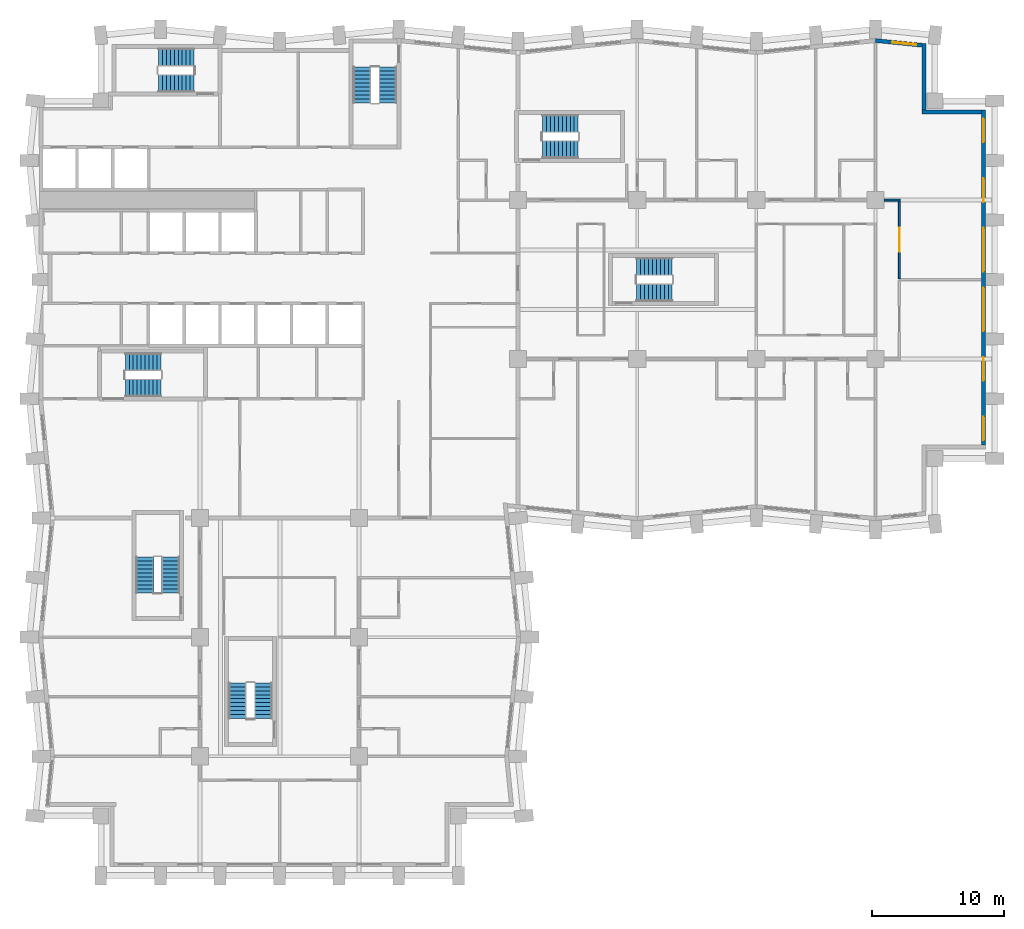
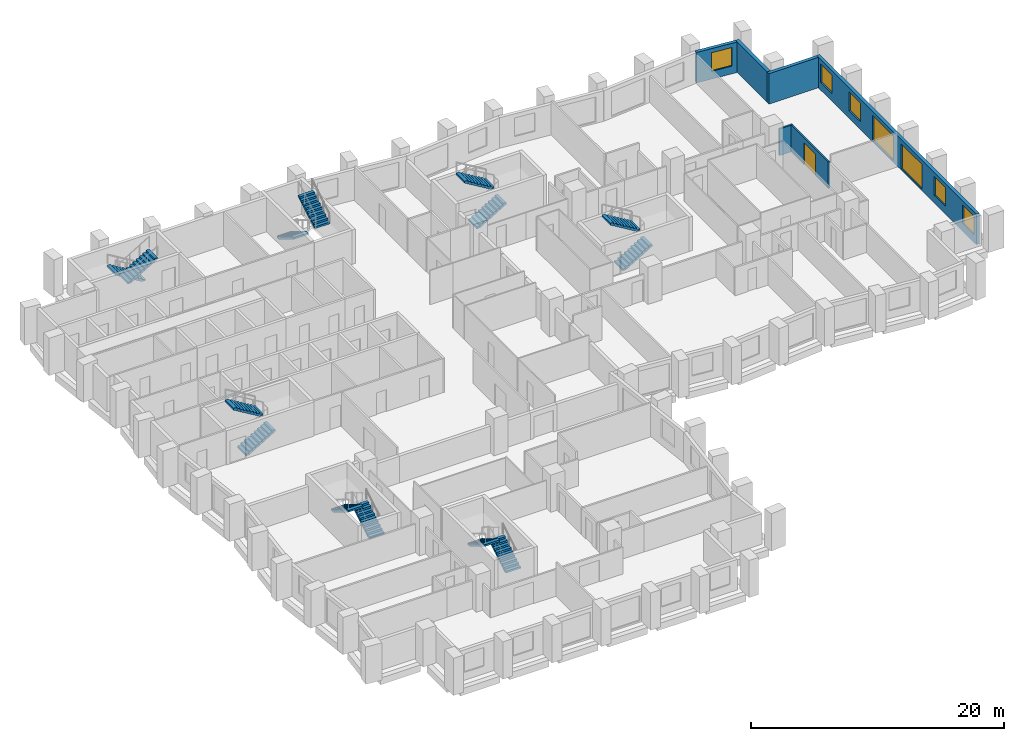
# One storey, part 10 of 12: 14 stair flights, 7 windows, 6 walls, 1 door, 8 openings, 7 elements without a shape of their own.
"""IFC4 building model written with IfcOpenShell, lengths in metres."""

from ifc_helpers import new_model, si_unit, direction, frame, frame_2d, origin, place, context, subcontext, project, spatial, polyline, rectangle, outline, extrude, material, layer, layer_set, type_object, element, fill, aggregate, save


model = new_model("IFC4")

# Units and contexts
model_context = context("Model", 3, precision=1e-05, world=origin(), true_north=direction((0.0, 1.0)))
body_context = subcontext(model_context, "Body", "Model", "MODEL_VIEW")
ifc_project = project(units=[si_unit("LENGTHUNIT", "METRE"), si_unit("AREAUNIT", "SQUARE_METRE"), si_unit("VOLUMEUNIT", "CUBIC_METRE"), si_unit("PLANEANGLEUNIT", "RADIAN"), si_unit("MASSUNIT", "GRAM", prefix="KILO")], contexts=[model_context])

# Site, building, storey
site_placement = place(None, origin())
site = spatial("IfcSite", under=ifc_project, at=site_placement, CompositionType="ELEMENT")
building_placement = place(site_placement, origin())
building = spatial("IfcBuilding", under=site, at=building_placement, Name="Brondeck Convention Tower", CompositionType="ELEMENT")
storey_placement = place(building_placement, frame((0.0, 0.0, 66.300048828125)))
storey = spatial("IfcBuildingStorey", under=building, at=storey_placement, Name="L14", CompositionType="ELEMENT", Elevation=66.300048828125)

# Wall, openings, windows
ifc_material_1 = material(Name="Precast concrete C50/60 bronze finish", Category="concrete")
ifc_layer_1 = layer(ifc_material_1, 0.070068359375, Name="Bronze precast facing")
ifc_material_2 = material(Name="Mineral wool")
ifc_layer_2 = layer(ifc_material_2, 0.159912109375, Name="Insulation")
ifc_material_3 = material(Name="Concrete C35/45", Category="concrete")
ifc_layer_3 = layer(ifc_material_3, 0.070068359375, Name="Backing")
ifc_layer_set_1 = layer_set([ifc_layer_1, ifc_layer_2, ifc_layer_3], Name="External infill wall, precast concrete C50/60 bronze facing")
wall_type_1 = type_object("IfcWallType", Name="External infill wall, precast concrete C50/60 bronze facing", PredefinedType="SOLIDWALL", material=ifc_layer_set_1)
wall_1_placement = place(storey_placement, frame((71.14990234375, 57.800048828125, 0.0), z_axis=(0.0, 0.0, 1.0), x_axis=(0.0, -1.0, 0.0)))
wall_1 = element("IfcWall", 1, at=wall_1_placement, inside=storey, type_object=wall_type_1, Name="ENV-EW-L14-P0-A-E72-01", PredefinedType="SOLIDWALL", context=body_context, shape_type="SweptSolid", body=[
    extrude(rectangle(XDim=25.302001953125, YDim=0.300048828125, at=frame_2d((12.65087890625, 0.0))), origin(), (0.0, 0.0, 1.0), 2.949951171875),
])
opening_1_placement = place(wall_1_placement, frame((0.64990234375, 0.0, 0.75)))
opening_1 = element("IfcOpeningElement", 2, at=opening_1_placement, cuts=wall_1, Name="Opening W10", PredefinedType="OPENING", context=body_context, shape_type="SweptSolid", body=[
    extrude(rectangle(XDim=1.800048828125, YDim=1.800048828125, at=frame_2d((0.89990234375, 0.89990234375))), frame((0.0, 0.159912109375, 0.0), z_axis=(0.0, -1.0, 0.0), x_axis=(1.0, 0.0, 0.0)), (0.0, 0.0, 1.0), 0.320068359375),
])
opening_2_placement = place(wall_1_placement, frame((5.14990234375, 0.0, 0.75)))
opening_2 = element("IfcOpeningElement", 3, at=opening_2_placement, cuts=wall_1, Name="Opening W10", PredefinedType="OPENING", context=body_context, shape_type="SweptSolid", body=[
    extrude(rectangle(XDim=1.800048828125, YDim=1.800048828125, at=frame_2d((0.89990234375, 0.89990234375))), frame((0.0, 0.159912109375, 0.0), z_axis=(0.0, -1.0, 0.0), x_axis=(1.0, 0.0, 0.0)), (0.0, 0.0, 1.0), 0.320068359375),
])
opening_3_placement = place(wall_1_placement, frame((8.89990234375, 0.0, 0.14990234375)))
opening_3 = element("IfcOpeningElement", 4, at=opening_3_placement, cuts=wall_1, Name="Opening W9", PredefinedType="OPENING", context=body_context, shape_type="SweptSolid", body=[
    extrude(rectangle(XDim=3.300048828125, YDim=2.39990234375, at=frame_2d((1.64990234375, 1.199951171875))), frame((0.0, 0.159912109375, 0.0), z_axis=(0.0, -1.0, 0.0), x_axis=(1.0, 0.0, 0.0)), (0.0, 0.0, 1.0), 0.320068359375),
])
opening_4_placement = place(wall_1_placement, frame((13.39990234375, 0.0, 0.14990234375)))
opening_4 = element("IfcOpeningElement", 5, at=opening_4_placement, cuts=wall_1, Name="Opening W9", PredefinedType="OPENING", context=body_context, shape_type="SweptSolid", body=[
    extrude(rectangle(XDim=3.300048828125, YDim=2.39990234375, at=frame_2d((1.64990234375, 1.199951171875))), frame((0.0, 0.159912109375, 0.0), z_axis=(0.0, -1.0, 0.0), x_axis=(1.0, 0.0, 0.0)), (0.0, 0.0, 1.0), 0.320068359375),
])
opening_5_placement = place(wall_1_placement, frame((18.64990234375, 0.0, 0.75)))
opening_5 = element("IfcOpeningElement", 6, at=opening_5_placement, cuts=wall_1, Name="Opening W10", PredefinedType="OPENING", context=body_context, shape_type="SweptSolid", body=[
    extrude(rectangle(XDim=1.800048828125, YDim=1.800048828125, at=frame_2d((0.89990234375, 0.89990234375))), frame((0.0, 0.159912109375, 0.0), z_axis=(0.0, -1.0, 0.0), x_axis=(1.0, 0.0, 0.0)), (0.0, 0.0, 1.0), 0.320068359375),
])
opening_6_placement = place(wall_1_placement, frame((23.14990234375, 0.0, 0.75)))
opening_6 = element("IfcOpeningElement", 7, at=opening_6_placement, cuts=wall_1, Name="Opening W10", PredefinedType="OPENING", context=body_context, shape_type="SweptSolid", body=[
    extrude(rectangle(XDim=1.800048828125, YDim=1.800048828125, at=frame_2d((0.89990234375, 0.89990234375))), frame((0.0, 0.159912109375, 0.0), z_axis=(0.0, -1.0, 0.0), x_axis=(1.0, 0.0, 0.0)), (0.0, 0.0, 1.0), 0.320068359375),
])
ifc_material_4 = material(Name="Bronze tinted double glazing", Category="glass")
window_type_1 = type_object("IfcWindowType", Name="Glazed flute window, bronze tinted", PartitioningType="SINGLE_PANEL", PredefinedType="WINDOW", material=ifc_material_4)
window_1_placement = place(opening_3_placement, origin())
window_1 = element("IfcWindow", 8, at=window_1_placement, inside=storey, type_object=window_type_1, Name="ENV-WN-L14-P0-A-E72-04", OverallHeight=2.39990234375, OverallWidth=3.300048828125, PartitioningType="SINGLE_PANEL", PredefinedType="WINDOW", context=body_context, shape_type="SweptSolid", body=[
    extrude(rectangle(XDim=3.300048828125, YDim=2.39990234375, at=frame_2d((1.64990234375, 1.199951171875))), frame((0.0, 0.030029296875, 0.0), z_axis=(0.0, -1.0, 0.0), x_axis=(1.0, 0.0, 0.0)), (0.0, 0.0, 1.0), 0.06005859375),
])
fill(opening_3, window_1)
window_2_placement = place(opening_4_placement, origin())
window_2 = element("IfcWindow", 9, at=window_2_placement, inside=storey, type_object=window_type_1, Name="ENV-WN-L14-P0-A-E72-03", OverallHeight=2.39990234375, OverallWidth=3.300048828125, PartitioningType="SINGLE_PANEL", PredefinedType="WINDOW", context=body_context, shape_type="SweptSolid", body=[
    extrude(rectangle(XDim=3.300048828125, YDim=2.39990234375, at=frame_2d((1.64990234375, 1.199951171875))), frame((0.0, 0.030029296875, 0.0), z_axis=(0.0, -1.0, 0.0), x_axis=(1.0, 0.0, 0.0)), (0.0, 0.0, 1.0), 0.06005859375),
])
fill(opening_4, window_2)
window_type_2 = type_object("IfcWindowType", Name="Punched window, bronze tinted", PartitioningType="SINGLE_PANEL", PredefinedType="WINDOW", material=ifc_material_4)
window_3_placement = place(opening_1_placement, origin())
window_3 = element("IfcWindow", 10, at=window_3_placement, inside=storey, type_object=window_type_2, Name="ENV-WN-L14-P0-A-E72-06", OverallHeight=1.800048828125, OverallWidth=1.800048828125, PartitioningType="SINGLE_PANEL", PredefinedType="WINDOW", context=body_context, shape_type="SweptSolid", body=[
    extrude(rectangle(XDim=1.800048828125, YDim=1.800048828125, at=frame_2d((0.89990234375, 0.89990234375))), frame((0.0, 0.030029296875, 0.0), z_axis=(0.0, -1.0, 0.0), x_axis=(1.0, 0.0, 0.0)), (0.0, 0.0, 1.0), 0.06005859375),
])
fill(opening_1, window_3)
window_4_placement = place(opening_2_placement, origin())
window_4 = element("IfcWindow", 11, at=window_4_placement, inside=storey, type_object=window_type_2, Name="ENV-WN-L14-P0-A-E72-05", OverallHeight=1.800048828125, OverallWidth=1.800048828125, PartitioningType="SINGLE_PANEL", PredefinedType="WINDOW", context=body_context, shape_type="SweptSolid", body=[
    extrude(rectangle(XDim=1.800048828125, YDim=1.800048828125, at=frame_2d((0.89990234375, 0.89990234375))), frame((0.0, 0.030029296875, 0.0), z_axis=(0.0, -1.0, 0.0), x_axis=(1.0, 0.0, 0.0)), (0.0, 0.0, 1.0), 0.06005859375),
])
fill(opening_2, window_4)
window_5_placement = place(opening_5_placement, origin())
window_5 = element("IfcWindow", 12, at=window_5_placement, inside=storey, type_object=window_type_2, Name="ENV-WN-L14-P0-A-E72-02", OverallHeight=1.800048828125, OverallWidth=1.800048828125, PartitioningType="SINGLE_PANEL", PredefinedType="WINDOW", context=body_context, shape_type="SweptSolid", body=[
    extrude(rectangle(XDim=1.800048828125, YDim=1.800048828125, at=frame_2d((0.89990234375, 0.89990234375))), frame((0.0, 0.030029296875, 0.0), z_axis=(0.0, -1.0, 0.0), x_axis=(1.0, 0.0, 0.0)), (0.0, 0.0, 1.0), 0.06005859375),
])
fill(opening_5, window_5)
window_6_placement = place(opening_6_placement, origin())
window_6 = element("IfcWindow", 13, at=window_6_placement, inside=storey, type_object=window_type_2, Name="ENV-WN-L14-P0-A-E72-01", OverallHeight=1.800048828125, OverallWidth=1.800048828125, PartitioningType="SINGLE_PANEL", PredefinedType="WINDOW", context=body_context, shape_type="SweptSolid", body=[
    extrude(rectangle(XDim=1.800048828125, YDim=1.800048828125, at=frame_2d((0.89990234375, 0.89990234375))), frame((0.0, 0.030029296875, 0.0), z_axis=(0.0, -1.0, 0.0), x_axis=(1.0, 0.0, 0.0)), (0.0, 0.0, 1.0), 0.06005859375),
])
fill(opening_6, window_6)

# Walls
wall_2_placement = place(storey_placement, frame((66.5, 57.64990234375, 0.0), z_axis=(0.0, 0.0, 1.0), x_axis=(1.0, 0.0, 0.0)))
element("IfcWall", 14, at=wall_2_placement, inside=storey, type_object=wall_type_1, Name="ENV-EW-L14-P0-NC-NEA72-01", PredefinedType="SOLIDWALL", context=body_context, shape_type="SweptSolid", body=[
    extrude(rectangle(XDim=4.5, YDim=0.300048828125, at=frame_2d((2.25, 0.0))), origin(), (0.0, 0.0, 1.0), 2.949951171875),
])
wall_3_placement = place(storey_placement, frame((66.64990234375, 62.81640625, 0.0), z_axis=(0.0, 0.0, 1.0), x_axis=(0.0, -1.0, 0.0)))
element("IfcWall", 15, at=wall_3_placement, inside=storey, type_object=wall_type_1, Name="ENV-EW-L14-P0-NC-NEA72-02", PredefinedType="SOLIDWALL", context=body_context, shape_type="SweptSolid", body=[
    extrude(rectangle(XDim=5.018310546875, YDim=0.300048828125, at=frame_2d((2.50927734375, 0.0))), origin(), (0.0, 0.0, 1.0), 2.949951171875),
])

# Wall, opening, window
wall_4_placement = place(storey_placement, frame((62.985107421875, 63.04736328125, 0.0), z_axis=(0.0, 0.0, 1.0), x_axis=(0.995031712439, -0.099558481511, 0.0)))
wall_4 = element("IfcWall", 16, at=wall_4_placement, inside=storey, type_object=wall_type_1, Name="ENV-EW-L14-P0-A-N-14", PredefinedType="SOLIDWALL", context=body_context, shape_type="SweptSolid", body=[
    extrude(rectangle(XDim=3.53125, YDim=0.300048828125, at=frame_2d((1.765625, 0.0))), origin(), (0.0, 0.0, 1.0), 2.949951171875),
])
opening_7_placement = place(wall_4_placement, frame((1.291259765625, 0.0, 0.75)))
opening_7 = element("IfcOpeningElement", 17, at=opening_7_placement, cuts=wall_4, Name="Opening W10", PredefinedType="OPENING", context=body_context, shape_type="SweptSolid", body=[
    extrude(rectangle(XDim=1.800048828125, YDim=1.800048828125, at=frame_2d((0.89990234375, 0.89990234375))), frame((0.0, 0.159912109375, 0.0), z_axis=(0.0, -1.0, 0.0), x_axis=(1.0, 0.0, 0.0)), (0.0, 0.0, 1.0), 0.320068359375),
])
window_7_placement = place(opening_7_placement, origin())
window_7 = element("IfcWindow", 18, at=window_7_placement, inside=storey, type_object=window_type_2, Name="ENV-WN-L14-P0-A-N-14", OverallHeight=1.800048828125, OverallWidth=1.800048828125, PartitioningType="SINGLE_PANEL", PredefinedType="WINDOW", context=body_context, shape_type="SweptSolid", body=[
    extrude(rectangle(XDim=1.800048828125, YDim=1.800048828125, at=frame_2d((0.89990234375, 0.89990234375))), frame((0.0, 0.030029296875, 0.0), z_axis=(0.0, -1.0, 0.0), x_axis=(1.0, 0.0, 0.0)), (0.0, 0.0, 1.0), 0.06005859375),
])
fill(opening_7, window_7)

# Wall, opening, door
ifc_material_5 = material(Name="Double gypsum board acoustic wall")
ifc_layer_4 = layer(ifc_material_5, 0.14990234375)
ifc_layer_set_2 = layer_set([ifc_layer_4], Name="Guest room party wall 150")
wall_type_2 = type_object("IfcWallType", Name="Guest room party wall 150", PredefinedType="PARTITIONING", material=ifc_layer_set_2)
wall_5_placement = place(storey_placement, frame((64.800048828125, 50.925048828125, 0.0), z_axis=(0.0, 0.0, 1.0), x_axis=(0.0, -1.0, 0.0)))
wall_5 = element("IfcWall", 19, at=wall_5_placement, inside=storey, type_object=wall_type_2, Name="FLR-L14-W100", PredefinedType="PARTITIONING", context=body_context, shape_type="SweptSolid", body=[
    extrude(rectangle(XDim=5.85009765625, YDim=0.14990234375, at=frame_2d((2.925048828125, 0.0))), origin(), (0.0, 0.0, 1.0), 2.579833984375),
])
opening_8_placement = place(wall_5_placement, frame((2.02490234375, 0.0, 0.0)))
opening_8 = element("IfcOpeningElement", 20, at=opening_8_placement, cuts=wall_5, Name="Opening H3-020", PredefinedType="OPENING", context=body_context, shape_type="SweptSolid", body=[
    extrude(rectangle(XDim=1.800048828125, YDim=2.10009765625, at=frame_2d((0.89990234375, 1.050048828125))), frame((0.0, 0.0849609375, 0.0), z_axis=(0.0, -1.0, 0.0), x_axis=(1.0, 0.0, 0.0)), (0.0, 0.0, 1.0), 0.169921875),
])
ifc_material_6 = material(Name="Glazed timber double door", Category="wood")
door_type = type_object("IfcDoorType", Name="Double door 1800", OperationType="DOUBLE_DOOR_SINGLE_SWING", PredefinedType="DOOR", material=ifc_material_6)
door_placement = place(opening_8_placement, origin())
door = element("IfcDoor", 21, at=door_placement, inside=storey, type_object=door_type, Name="Door H3-020", OperationType="DOUBLE_DOOR_SINGLE_SWING", OverallHeight=2.10009765625, OverallWidth=1.800048828125, PredefinedType="DOOR", context=body_context, shape_type="SweptSolid", body=[
    extrude(rectangle(XDim=1.800048828125, YDim=2.10009765625, at=frame_2d((0.89990234375, 1.050048828125))), frame((0.0, 0.02490234375, 0.0), z_axis=(0.0, -1.0, 0.0), x_axis=(1.0, 0.0, 0.0)), (0.0, 0.0, 1.0), 0.050048828125),
])
fill(opening_8, door)

# Wall
wall_6_placement = place(storey_placement, frame((63.655029296875, 51.0, 0.0), z_axis=(0.0, 0.0, 1.0), x_axis=(1.0, 0.0, 0.0)))
element("IfcWall", 22, at=wall_6_placement, inside=storey, type_object=wall_type_2, Name="FLR-L14-W112", PredefinedType="PARTITIONING", context=body_context, shape_type="SweptSolid", body=[
    extrude(rectangle(XDim=1.219970703125, YDim=0.14990234375, at=frame_2d((0.60986328125, 0.0))), origin(), (0.0, 0.0, 1.0), 2.579833984375),
])

# Stair, stair flights
ifc_material_7 = material(Name="Precast concrete C50/60", Category="concrete")
stair_type = type_object("IfcStairType", Name="Core stair 20 risers 180.00 mm riser 300 mm going 1350 wide", PredefinedType="HALF_TURN_STAIR", material=ifc_material_7)
stair_1_placement = place(storey_placement, origin())
stair_1 = element("IfcStair", 23, at=stair_1_placement, inside=storey, type_object=stair_type, Name="ST-1 L14 stair", PredefinedType="HALF_TURN_STAIR")
stair_flight_type = type_object("IfcStairFlightType", Name="Core stair flight 20 risers 180.00 mm riser 300 mm going 1350 wide", PredefinedType="STRAIGHT", material=ifc_material_7)
stair_flight_1_placement = place(storey_placement, frame((6.35009765625, 36.824951171875, 0.0), z_axis=(0.0, 0.0, 1.0), x_axis=(1.0, 0.0, 0.0)))
stair_flight_1 = element("IfcStairFlight", 24, at=stair_flight_1_placement, type_object=stair_flight_type, Name="ST-1 flight 1", NumberOfRisers=10, NumberOfTreads=9, PredefinedType="STRAIGHT", RiserHeight=0.18, TreadLength=0.3, context=body_context, shape_type="SweptSolid", body=[
    extrude(outline(polyline([(0.0, 0.0), (0.0, 0.179931640625), (0.300048828125, 0.179931640625), (0.300048828125, 0.360107421875), (0.60009765625, 0.360107421875), (0.60009765625, 0.5400390625), (0.89990234375, 0.5400390625), (0.89990234375, 0.719970703125), (1.199951171875, 0.719970703125), (1.199951171875, 0.89990234375), (1.5, 0.89990234375), (1.5, 1.080078125), (1.800048828125, 1.080078125), (1.800048828125, 1.260009765625), (2.10009765625, 1.260009765625), (2.10009765625, 1.43994140625), (2.39990234375, 1.43994140625), (2.39990234375, 1.6201171875), (2.699951171875, 1.6201171875), (2.699951171875, 1.800048828125), (2.699951171875, 1.445068359375), (0.291259765625, 0.0), (0.0, 0.0)])), frame((0.0, 0.675048828125, 0.0), z_axis=(0.0, -1.0, 0.0), x_axis=(1.0, 0.0, 0.0)), (0.0, 0.0, 1.0), 1.35009765625),
])
stair_flight_2_placement = place(storey_placement, frame((9.050048828125, 38.77490234375, 1.800048828125), z_axis=(0.0, 0.0, 1.0), x_axis=(-1.0, 0.0, 0.0)))
stair_flight_2 = element("IfcStairFlight", 25, at=stair_flight_2_placement, type_object=stair_flight_type, Name="ST-1 flight 2", NumberOfRisers=10, NumberOfTreads=9, PredefinedType="STRAIGHT", RiserHeight=0.18, TreadLength=0.3, context=body_context, shape_type="SweptSolid", body=[
    extrude(outline(polyline([(0.0, 0.0), (0.0, 0.179931640625), (0.300048828125, 0.179931640625), (0.300048828125, 0.360107421875), (0.60009765625, 0.360107421875), (0.60009765625, 0.5400390625), (0.89990234375, 0.5400390625), (0.89990234375, 0.719970703125), (1.199951171875, 0.719970703125), (1.199951171875, 0.89990234375), (1.5, 0.89990234375), (1.5, 1.080078125), (1.800048828125, 1.080078125), (1.800048828125, 1.260009765625), (2.10009765625, 1.260009765625), (2.10009765625, 1.43994140625), (2.39990234375, 1.43994140625), (2.39990234375, 1.6201171875), (2.699951171875, 1.6201171875), (2.699951171875, 1.800048828125), (2.699951171875, 1.445068359375), (0.291259765625, 0.0), (0.0, 0.0)])), frame((0.0, 0.675048828125, 0.0), z_axis=(0.0, -1.0, 0.0), x_axis=(1.0, 0.0, 0.0)), (0.0, 0.0, 1.0), 1.35009765625),
])
aggregate(stair_1, [stair_flight_1, stair_flight_2])

stair_2_placement = place(storey_placement, origin())
stair_2 = element("IfcStair", 26, at=stair_2_placement, inside=storey, type_object=stair_type, Name="ST-2 L14 stair", PredefinedType="HALF_TURN_STAIR")
stair_flight_3_placement = place(storey_placement, frame((24.22509765625, 61.050048828125, 0.0), z_axis=(0.0, 0.0, 1.0), x_axis=(0.0, -1.0, 0.0)))
stair_flight_3 = element("IfcStairFlight", 27, at=stair_flight_3_placement, type_object=stair_flight_type, Name="ST-2 flight 1", NumberOfRisers=10, NumberOfTreads=9, PredefinedType="STRAIGHT", RiserHeight=0.18, TreadLength=0.3, context=body_context, shape_type="SweptSolid", body=[
    extrude(outline(polyline([(0.0, 0.0), (0.0, 0.179931640625), (0.300048828125, 0.179931640625), (0.300048828125, 0.360107421875), (0.60009765625, 0.360107421875), (0.60009765625, 0.5400390625), (0.89990234375, 0.5400390625), (0.89990234375, 0.719970703125), (1.199951171875, 0.719970703125), (1.199951171875, 0.89990234375), (1.5, 0.89990234375), (1.5, 1.080078125), (1.800048828125, 1.080078125), (1.800048828125, 1.260009765625), (2.10009765625, 1.260009765625), (2.10009765625, 1.43994140625), (2.39990234375, 1.43994140625), (2.39990234375, 1.6201171875), (2.699951171875, 1.6201171875), (2.699951171875, 1.800048828125), (2.699951171875, 1.445068359375), (0.291259765625, 0.0), (0.0, 0.0)])), frame((0.0, 0.675048828125, 0.0), z_axis=(0.0, -1.0, 0.0), x_axis=(1.0, 0.0, 0.0)), (0.0, 0.0, 1.0), 1.35009765625),
])
stair_flight_4_placement = place(storey_placement, frame((26.175048828125, 58.35009765625, 1.800048828125), z_axis=(0.0, 0.0, 1.0), x_axis=(0.0, 1.0, 0.0)))
stair_flight_4 = element("IfcStairFlight", 28, at=stair_flight_4_placement, type_object=stair_flight_type, Name="ST-2 flight 2", NumberOfRisers=10, NumberOfTreads=9, PredefinedType="STRAIGHT", RiserHeight=0.18, TreadLength=0.3, context=body_context, shape_type="SweptSolid", body=[
    extrude(outline(polyline([(0.0, 0.0), (0.0, 0.179931640625), (0.300048828125, 0.179931640625), (0.300048828125, 0.360107421875), (0.60009765625, 0.360107421875), (0.60009765625, 0.5400390625), (0.89990234375, 0.5400390625), (0.89990234375, 0.719970703125), (1.199951171875, 0.719970703125), (1.199951171875, 0.89990234375), (1.5, 0.89990234375), (1.5, 1.080078125), (1.800048828125, 1.080078125), (1.800048828125, 1.260009765625), (2.10009765625, 1.260009765625), (2.10009765625, 1.43994140625), (2.39990234375, 1.43994140625), (2.39990234375, 1.6201171875), (2.699951171875, 1.6201171875), (2.699951171875, 1.800048828125), (2.699951171875, 1.445068359375), (0.291259765625, 0.0), (0.0, 0.0)])), frame((0.0, 0.675048828125, 0.0), z_axis=(0.0, -1.0, 0.0), x_axis=(1.0, 0.0, 0.0)), (0.0, 0.0, 1.0), 1.35009765625),
])
aggregate(stair_2, [stair_flight_3, stair_flight_4])

stair_3_placement = place(storey_placement, origin())
stair_3 = element("IfcStair", 29, at=stair_3_placement, inside=storey, type_object=stair_type, Name="ST-3 L14 stair", PredefinedType="HALF_TURN_STAIR")
stair_flight_5_placement = place(storey_placement, frame((11.550048828125, 61.77490234375, 0.0), z_axis=(0.0, 0.0, 1.0), x_axis=(-1.0, 0.0, 0.0)))
stair_flight_5 = element("IfcStairFlight", 30, at=stair_flight_5_placement, type_object=stair_flight_type, Name="ST-3 flight 1", NumberOfRisers=10, NumberOfTreads=9, PredefinedType="STRAIGHT", RiserHeight=0.18, TreadLength=0.3, context=body_context, shape_type="SweptSolid", body=[
    extrude(outline(polyline([(0.0, 0.0), (0.0, 0.179931640625), (0.300048828125, 0.179931640625), (0.300048828125, 0.360107421875), (0.60009765625, 0.360107421875), (0.60009765625, 0.5400390625), (0.89990234375, 0.5400390625), (0.89990234375, 0.719970703125), (1.199951171875, 0.719970703125), (1.199951171875, 0.89990234375), (1.5, 0.89990234375), (1.5, 1.080078125), (1.800048828125, 1.080078125), (1.800048828125, 1.260009765625), (2.10009765625, 1.260009765625), (2.10009765625, 1.43994140625), (2.39990234375, 1.43994140625), (2.39990234375, 1.6201171875), (2.699951171875, 1.6201171875), (2.699951171875, 1.800048828125), (2.699951171875, 1.445068359375), (0.291259765625, 0.0), (0.0, 0.0)])), frame((0.0, 0.675048828125, 0.0), z_axis=(0.0, -1.0, 0.0), x_axis=(1.0, 0.0, 0.0)), (0.0, 0.0, 1.0), 1.35009765625),
])
stair_flight_6_placement = place(storey_placement, frame((8.85009765625, 59.824951171875, 1.800048828125), z_axis=(0.0, 0.0, 1.0), x_axis=(1.0, 0.0, 0.0)))
stair_flight_6 = element("IfcStairFlight", 31, at=stair_flight_6_placement, type_object=stair_flight_type, Name="ST-3 flight 2", NumberOfRisers=10, NumberOfTreads=9, PredefinedType="STRAIGHT", RiserHeight=0.18, TreadLength=0.3, context=body_context, shape_type="SweptSolid", body=[
    extrude(outline(polyline([(0.0, 0.0), (0.0, 0.179931640625), (0.300048828125, 0.179931640625), (0.300048828125, 0.360107421875), (0.60009765625, 0.360107421875), (0.60009765625, 0.5400390625), (0.89990234375, 0.5400390625), (0.89990234375, 0.719970703125), (1.199951171875, 0.719970703125), (1.199951171875, 0.89990234375), (1.5, 0.89990234375), (1.5, 1.080078125), (1.800048828125, 1.080078125), (1.800048828125, 1.260009765625), (2.10009765625, 1.260009765625), (2.10009765625, 1.43994140625), (2.39990234375, 1.43994140625), (2.39990234375, 1.6201171875), (2.699951171875, 1.6201171875), (2.699951171875, 1.800048828125), (2.699951171875, 1.445068359375), (0.291259765625, 0.0), (0.0, 0.0)])), frame((0.0, 0.675048828125, 0.0), z_axis=(0.0, -1.0, 0.0), x_axis=(1.0, 0.0, 0.0)), (0.0, 0.0, 1.0), 1.35009765625),
])
aggregate(stair_3, [stair_flight_5, stair_flight_6])

stair_4_placement = place(storey_placement, origin())
stair_4 = element("IfcStair", 32, at=stair_4_placement, inside=storey, type_object=stair_type, Name="ST-AE L14 stair", PredefinedType="HALF_TURN_STAIR")
stair_flight_7_placement = place(storey_placement, frame((37.85009765625, 54.824951171875, 0.0), z_axis=(0.0, 0.0, 1.0), x_axis=(1.0, 0.0, 0.0)))
stair_flight_7 = element("IfcStairFlight", 33, at=stair_flight_7_placement, type_object=stair_flight_type, Name="ST-AE flight 1", NumberOfRisers=10, NumberOfTreads=9, PredefinedType="STRAIGHT", RiserHeight=0.18, TreadLength=0.3, context=body_context, shape_type="SweptSolid", body=[
    extrude(outline(polyline([(0.0, 0.0), (0.0, 0.179931640625), (0.300048828125, 0.179931640625), (0.300048828125, 0.360107421875), (0.60009765625, 0.360107421875), (0.60009765625, 0.5400390625), (0.89990234375, 0.5400390625), (0.89990234375, 0.719970703125), (1.199951171875, 0.719970703125), (1.199951171875, 0.89990234375), (1.5, 0.89990234375), (1.5, 1.080078125), (1.800048828125, 1.080078125), (1.800048828125, 1.260009765625), (2.10009765625, 1.260009765625), (2.10009765625, 1.43994140625), (2.39990234375, 1.43994140625), (2.39990234375, 1.6201171875), (2.699951171875, 1.6201171875), (2.699951171875, 1.800048828125), (2.699951171875, 1.445068359375), (0.291259765625, 0.0), (0.0, 0.0)])), frame((0.0, 0.675048828125, 0.0), z_axis=(0.0, -1.0, 0.0), x_axis=(1.0, 0.0, 0.0)), (0.0, 0.0, 1.0), 1.35009765625),
])
stair_flight_8_placement = place(storey_placement, frame((40.550048828125, 56.77490234375, 1.800048828125), z_axis=(0.0, 0.0, 1.0), x_axis=(-1.0, 0.0, 0.0)))
stair_flight_8 = element("IfcStairFlight", 34, at=stair_flight_8_placement, type_object=stair_flight_type, Name="ST-AE flight 2", NumberOfRisers=10, NumberOfTreads=9, PredefinedType="STRAIGHT", RiserHeight=0.18, TreadLength=0.3, context=body_context, shape_type="SweptSolid", body=[
    extrude(outline(polyline([(0.0, 0.0), (0.0, 0.179931640625), (0.300048828125, 0.179931640625), (0.300048828125, 0.360107421875), (0.60009765625, 0.360107421875), (0.60009765625, 0.5400390625), (0.89990234375, 0.5400390625), (0.89990234375, 0.719970703125), (1.199951171875, 0.719970703125), (1.199951171875, 0.89990234375), (1.5, 0.89990234375), (1.5, 1.080078125), (1.800048828125, 1.080078125), (1.800048828125, 1.260009765625), (2.10009765625, 1.260009765625), (2.10009765625, 1.43994140625), (2.39990234375, 1.43994140625), (2.39990234375, 1.6201171875), (2.699951171875, 1.6201171875), (2.699951171875, 1.800048828125), (2.699951171875, 1.445068359375), (0.291259765625, 0.0), (0.0, 0.0)])), frame((0.0, 0.675048828125, 0.0), z_axis=(0.0, -1.0, 0.0), x_axis=(1.0, 0.0, 0.0)), (0.0, 0.0, 1.0), 1.35009765625),
])
aggregate(stair_4, [stair_flight_7, stair_flight_8])

stair_5_placement = place(storey_placement, origin())
stair_5 = element("IfcStair", 35, at=stair_5_placement, inside=storey, type_object=stair_type, Name="ST-BE L14 stair", PredefinedType="HALF_TURN_STAIR")
stair_flight_9_placement = place(storey_placement, frame((9.77490234375, 21.35009765625, 0.0), z_axis=(0.0, 0.0, 1.0), x_axis=(0.0, 1.0, 0.0)))
stair_flight_9 = element("IfcStairFlight", 36, at=stair_flight_9_placement, type_object=stair_flight_type, Name="ST-BE flight 1", NumberOfRisers=10, NumberOfTreads=9, PredefinedType="STRAIGHT", RiserHeight=0.18, TreadLength=0.3, context=body_context, shape_type="SweptSolid", body=[
    extrude(outline(polyline([(0.0, 0.0), (0.0, 0.179931640625), (0.300048828125, 0.179931640625), (0.300048828125, 0.360107421875), (0.60009765625, 0.360107421875), (0.60009765625, 0.5400390625), (0.89990234375, 0.5400390625), (0.89990234375, 0.719970703125), (1.199951171875, 0.719970703125), (1.199951171875, 0.89990234375), (1.5, 0.89990234375), (1.5, 1.080078125), (1.800048828125, 1.080078125), (1.800048828125, 1.260009765625), (2.10009765625, 1.260009765625), (2.10009765625, 1.43994140625), (2.39990234375, 1.43994140625), (2.39990234375, 1.6201171875), (2.699951171875, 1.6201171875), (2.699951171875, 1.800048828125), (2.699951171875, 1.445068359375), (0.291259765625, 0.0), (0.0, 0.0)])), frame((0.0, 0.675048828125, 0.0), z_axis=(0.0, -1.0, 0.0), x_axis=(1.0, 0.0, 0.0)), (0.0, 0.0, 1.0), 1.35009765625),
])
stair_flight_10_placement = place(storey_placement, frame((7.824951171875, 24.050048828125, 1.800048828125), z_axis=(0.0, 0.0, 1.0), x_axis=(0.0, -1.0, 0.0)))
stair_flight_10 = element("IfcStairFlight", 37, at=stair_flight_10_placement, type_object=stair_flight_type, Name="ST-BE flight 2", NumberOfRisers=10, NumberOfTreads=9, PredefinedType="STRAIGHT", RiserHeight=0.18, TreadLength=0.3, context=body_context, shape_type="SweptSolid", body=[
    extrude(outline(polyline([(0.0, 0.0), (0.0, 0.179931640625), (0.300048828125, 0.179931640625), (0.300048828125, 0.360107421875), (0.60009765625, 0.360107421875), (0.60009765625, 0.5400390625), (0.89990234375, 0.5400390625), (0.89990234375, 0.719970703125), (1.199951171875, 0.719970703125), (1.199951171875, 0.89990234375), (1.5, 0.89990234375), (1.5, 1.080078125), (1.800048828125, 1.080078125), (1.800048828125, 1.260009765625), (2.10009765625, 1.260009765625), (2.10009765625, 1.43994140625), (2.39990234375, 1.43994140625), (2.39990234375, 1.6201171875), (2.699951171875, 1.6201171875), (2.699951171875, 1.800048828125), (2.699951171875, 1.445068359375), (0.291259765625, 0.0), (0.0, 0.0)])), frame((0.0, 0.675048828125, 0.0), z_axis=(0.0, -1.0, 0.0), x_axis=(1.0, 0.0, 0.0)), (0.0, 0.0, 1.0), 1.35009765625),
])
aggregate(stair_5, [stair_flight_9, stair_flight_10])

stair_6_placement = place(storey_placement, origin())
stair_6 = element("IfcStair", 38, at=stair_6_placement, inside=storey, type_object=stair_type, Name="ST-AF L14 stair", PredefinedType="HALF_TURN_STAIR")
stair_flight_11_placement = place(storey_placement, frame((44.949951171875, 44.02490234375, 0.0), z_axis=(0.0, 0.0, 1.0), x_axis=(1.0, 0.0, 0.0)))
stair_flight_11 = element("IfcStairFlight", 39, at=stair_flight_11_placement, type_object=stair_flight_type, Name="ST-AF flight 1", NumberOfRisers=10, NumberOfTreads=9, PredefinedType="STRAIGHT", RiserHeight=0.18, TreadLength=0.3, context=body_context, shape_type="SweptSolid", body=[
    extrude(outline(polyline([(0.0, 0.0), (0.0, 0.179931640625), (0.300048828125, 0.179931640625), (0.300048828125, 0.360107421875), (0.60009765625, 0.360107421875), (0.60009765625, 0.5400390625), (0.89990234375, 0.5400390625), (0.89990234375, 0.719970703125), (1.199951171875, 0.719970703125), (1.199951171875, 0.89990234375), (1.5, 0.89990234375), (1.5, 1.080078125), (1.800048828125, 1.080078125), (1.800048828125, 1.260009765625), (2.10009765625, 1.260009765625), (2.10009765625, 1.43994140625), (2.39990234375, 1.43994140625), (2.39990234375, 1.6201171875), (2.699951171875, 1.6201171875), (2.699951171875, 1.800048828125), (2.699951171875, 1.445068359375), (0.291259765625, 0.0), (0.0, 0.0)])), frame((0.0, 0.675048828125, 0.0), z_axis=(0.0, -1.0, 0.0), x_axis=(1.0, 0.0, 0.0)), (0.0, 0.0, 1.0), 1.35009765625),
])
stair_flight_12_placement = place(storey_placement, frame((47.64990234375, 45.97509765625, 1.800048828125), z_axis=(0.0, 0.0, 1.0), x_axis=(-1.0, 0.0, 0.0)))
stair_flight_12 = element("IfcStairFlight", 40, at=stair_flight_12_placement, type_object=stair_flight_type, Name="ST-AF flight 2", NumberOfRisers=10, NumberOfTreads=9, PredefinedType="STRAIGHT", RiserHeight=0.18, TreadLength=0.3, context=body_context, shape_type="SweptSolid", body=[
    extrude(outline(polyline([(0.0, 0.0), (0.0, 0.179931640625), (0.300048828125, 0.179931640625), (0.300048828125, 0.360107421875), (0.60009765625, 0.360107421875), (0.60009765625, 0.5400390625), (0.89990234375, 0.5400390625), (0.89990234375, 0.719970703125), (1.199951171875, 0.719970703125), (1.199951171875, 0.89990234375), (1.5, 0.89990234375), (1.5, 1.080078125), (1.800048828125, 1.080078125), (1.800048828125, 1.260009765625), (2.10009765625, 1.260009765625), (2.10009765625, 1.43994140625), (2.39990234375, 1.43994140625), (2.39990234375, 1.6201171875), (2.699951171875, 1.6201171875), (2.699951171875, 1.800048828125), (2.699951171875, 1.445068359375), (0.291259765625, 0.0), (0.0, 0.0)])), frame((0.0, 0.675048828125, 0.0), z_axis=(0.0, -1.0, 0.0), x_axis=(1.0, 0.0, 0.0)), (0.0, 0.0, 1.0), 1.35009765625),
])
aggregate(stair_6, [stair_flight_11, stair_flight_12])

stair_7_placement = place(storey_placement, origin())
stair_7 = element("IfcStair", 41, at=stair_7_placement, inside=storey, type_object=stair_type, Name="ST-BF L14 stair", PredefinedType="HALF_TURN_STAIR")
stair_flight_13_placement = place(storey_placement, frame((16.77490234375, 11.85009765625, 0.0), z_axis=(0.0, 0.0, 1.0), x_axis=(0.0, 1.0, 0.0)))
stair_flight_13 = element("IfcStairFlight", 42, at=stair_flight_13_placement, type_object=stair_flight_type, Name="ST-BF flight 1", NumberOfRisers=10, NumberOfTreads=9, PredefinedType="STRAIGHT", RiserHeight=0.18, TreadLength=0.3, context=body_context, shape_type="SweptSolid", body=[
    extrude(outline(polyline([(0.0, 0.0), (0.0, 0.179931640625), (0.300048828125, 0.179931640625), (0.300048828125, 0.360107421875), (0.60009765625, 0.360107421875), (0.60009765625, 0.5400390625), (0.89990234375, 0.5400390625), (0.89990234375, 0.719970703125), (1.199951171875, 0.719970703125), (1.199951171875, 0.89990234375), (1.5, 0.89990234375), (1.5, 1.080078125), (1.800048828125, 1.080078125), (1.800048828125, 1.260009765625), (2.10009765625, 1.260009765625), (2.10009765625, 1.43994140625), (2.39990234375, 1.43994140625), (2.39990234375, 1.6201171875), (2.699951171875, 1.6201171875), (2.699951171875, 1.800048828125), (2.699951171875, 1.445068359375), (0.291259765625, 0.0), (0.0, 0.0)])), frame((0.0, 0.675048828125, 0.0), z_axis=(0.0, -1.0, 0.0), x_axis=(1.0, 0.0, 0.0)), (0.0, 0.0, 1.0), 1.35009765625),
])
stair_flight_14_placement = place(storey_placement, frame((14.824951171875, 14.550048828125, 1.800048828125), z_axis=(0.0, 0.0, 1.0), x_axis=(0.0, -1.0, 0.0)))
stair_flight_14 = element("IfcStairFlight", 43, at=stair_flight_14_placement, type_object=stair_flight_type, Name="ST-BF flight 2", NumberOfRisers=10, NumberOfTreads=9, PredefinedType="STRAIGHT", RiserHeight=0.18, TreadLength=0.3, context=body_context, shape_type="SweptSolid", body=[
    extrude(outline(polyline([(0.0, 0.0), (0.0, 0.179931640625), (0.300048828125, 0.179931640625), (0.300048828125, 0.360107421875), (0.60009765625, 0.360107421875), (0.60009765625, 0.5400390625), (0.89990234375, 0.5400390625), (0.89990234375, 0.719970703125), (1.199951171875, 0.719970703125), (1.199951171875, 0.89990234375), (1.5, 0.89990234375), (1.5, 1.080078125), (1.800048828125, 1.080078125), (1.800048828125, 1.260009765625), (2.10009765625, 1.260009765625), (2.10009765625, 1.43994140625), (2.39990234375, 1.43994140625), (2.39990234375, 1.6201171875), (2.699951171875, 1.6201171875), (2.699951171875, 1.800048828125), (2.699951171875, 1.445068359375), (0.291259765625, 0.0), (0.0, 0.0)])), frame((0.0, 0.675048828125, 0.0), z_axis=(0.0, -1.0, 0.0), x_axis=(1.0, 0.0, 0.0)), (0.0, 0.0, 1.0), 1.35009765625),
])
aggregate(stair_7, [stair_flight_13, stair_flight_14])

save(model, "model.ifc")
